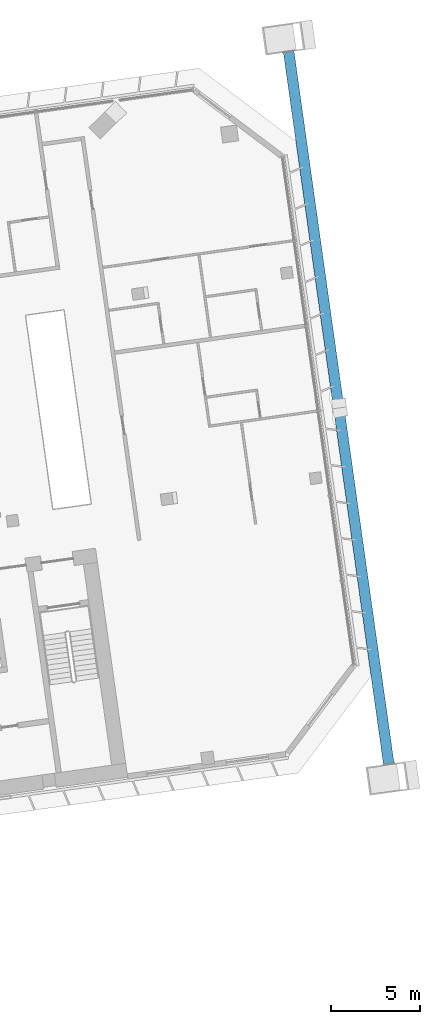
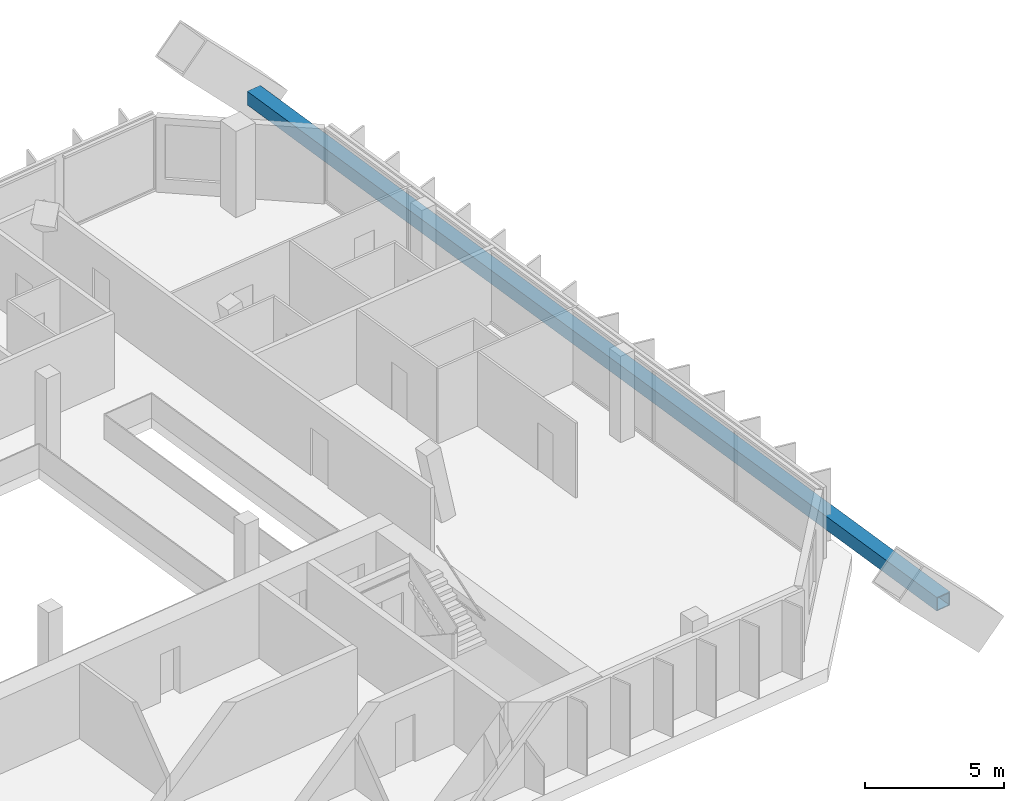
# One storey, part 14 of 34: 1 member.
"""IFC4 building model written with IfcOpenShell, lengths in metres."""

from ifc_helpers import new_model, si_unit, direction, frame, origin, origin_2d, place, context, subcontext, project, spatial, hollow_rectangle, extrude, material, material_profile, profile_set, type_object, element, save


model = new_model("IFC4")

# Units and contexts
model_context = context("Model", 3, precision=1e-05, world=origin(), true_north=direction((0.0, 1.0)))
body_context = subcontext(model_context, "Body", "Model", "MODEL_VIEW")
ifc_project = project(units=[si_unit("LENGTHUNIT", "METRE"), si_unit("AREAUNIT", "SQUARE_METRE"), si_unit("VOLUMEUNIT", "CUBIC_METRE"), si_unit("PLANEANGLEUNIT", "RADIAN"), si_unit("MASSUNIT", "GRAM", prefix="KILO")], contexts=[model_context])

# Site, building, storey
site_placement = place(None, origin())
site = spatial("IfcSite", under=ifc_project, at=site_placement, CompositionType="ELEMENT")
building_placement = place(site_placement, origin())
building = spatial("IfcBuilding", under=site, at=building_placement, Name="Mirante Cascada Hotel Towers", CompositionType="ELEMENT")
storey_placement = place(building_placement, frame((0.0, 0.0, 148.1)))
storey = spatial("IfcBuildingStorey", under=building, at=storey_placement, Name="L34", CompositionType="ELEMENT", Elevation=148.1)

# Member
ifc_material = material(Name="Steel ASTM A572 Gr 50", Category="steel")
ifc_material_profile = material_profile(ifc_material, hollow_rectangle(XDim=0.6, YDim=0.6, WallThickness=0.04, at=origin_2d()), Name="Box chord 600x600x40 ASTM A572 Gr 50")
ifc_profile_set = profile_set([ifc_material_profile], Name="Steel ASTM A572 Gr 50")
member_type = type_object("IfcMemberType", Name="Box chord 600x600x40 ASTM A572 Gr 50", PredefinedType="CHORD", material=ifc_profile_set)
member_placement = place(storey_placement, frame((105.1356, -11.8591, 1.0), z_axis=(-0.1391742, 0.9902679, 0.0), x_axis=(-0.9902679, -0.1391742, 0.0)))
element("IfcMember", 1, at=member_placement, inside=storey, type_object=member_type, Name="exochord T2 L34 1", PredefinedType="CHORD", context=body_context, shape_type="SweptSolid", body=[
    extrude(hollow_rectangle(XDim=0.6, YDim=0.6, WallThickness=0.04, at=origin_2d()), origin(), (0.0, 0.0, 1.0), 40.44),
])

save(model, "model.ifc")
